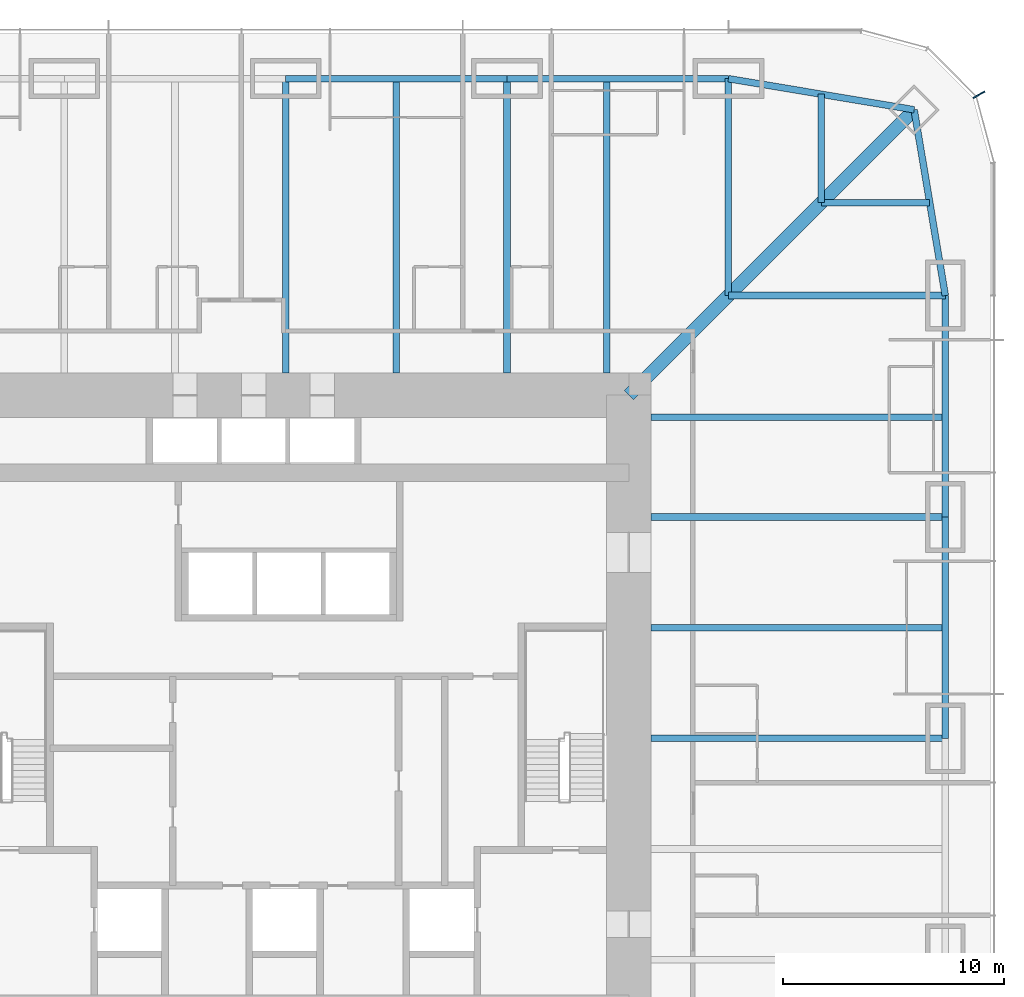
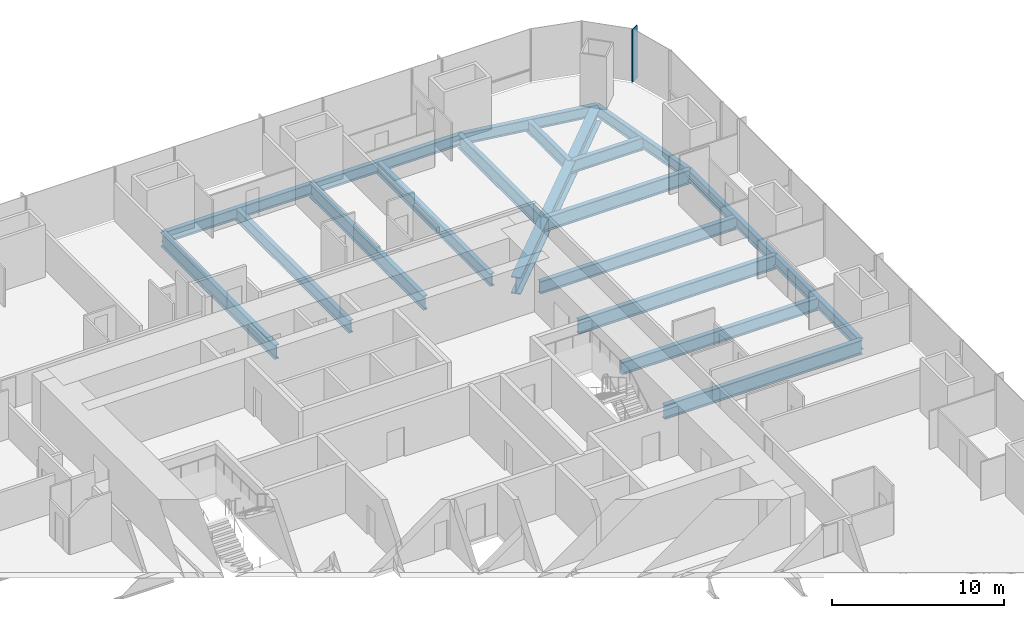
# One storey, part 7 of 20: 19 beams, 1 member, 1 element without a shape of its own.
"""IFC4 building model written with IfcOpenShell, lengths in metres."""

import ifcopenshell
import ifcopenshell.guid

model = None  # the IFC model being written
_history = None  # IfcOwnerHistory: only IFC2X3 demands one
_inside = {}  # id of a spatial element -> (the spatial element, [elements in it])
_under = {}  # id of a project, library or spatial element -> (it, [spatial elements below it])
_declared = {}  # id of a project -> (the project, [libraries it declares])
_typed = {}  # id of a type object -> (the type object, [elements of that type])
_made_of = {}  # id of a material, layer set ... -> (it, [elements and type objects made of it])


def new_model(schema):
    """Start an empty IFC model of exactly this schema.

    Asked for "IFC4X3", IfcOpenShell would pick the latest addendum, in which some entities
    have other attributes; the version numbers below select the first issue.
    IFC2X3 requires an IfcOwnerHistory on every rooted entity: one is made here for all.
    """
    global model, _history
    if schema == "IFC4X3":
        model = ifcopenshell.file(schema_version=(4, 3, 0, 0))
    else:
        model = ifcopenshell.file(schema=schema)
    _inside.clear()
    _under.clear()
    _declared.clear()
    _typed.clear()
    _made_of.clear()
    _history = None
    if model.schema == "IFC2X3":
        org = make("IfcOrganization", Name="unknown")
        user = make(
            "IfcPersonAndOrganization",
            ThePerson=make("IfcPerson", FamilyName="unknown"),
            TheOrganization=org,
        )
        app = make(
            "IfcApplication",
            ApplicationDeveloper=org,
            Version="unknown",
            ApplicationFullName="unknown",
            ApplicationIdentifier="unknown",
        )
        _history = make(
            "IfcOwnerHistory",
            OwningUser=user,
            OwningApplication=app,
            ChangeAction="ADDED",
            CreationDate=0,
        )
    return model


def make(cls, **values):
    """One entity of the class cls with the attributes given. An attribute that is None is left unset."""
    return model.create_entity(
        cls, **{name: value for name, value in values.items() if value is not None}
    )


def rooted(cls, **values):
    """An entity with a GlobalId (a new one), such as an element, a storey or a relation."""
    return make(cls, GlobalId=ifcopenshell.guid.new(), OwnerHistory=_history, **values)


def si_unit(unit_type, name, prefix=None):
    """IfcSIUnit, for example si_unit("LENGTHUNIT", "METRE", prefix="MILLI")."""
    return make("IfcSIUnit", UnitType=unit_type, Prefix=prefix, Name=name)


def assignment(units):
    """IfcUnitAssignment: the units of a project."""
    return None if units is None else make("IfcUnitAssignment", Units=units)


def point(xyz):
    """IfcCartesianPoint."""
    return None if xyz is None else make("IfcCartesianPoint", Coordinates=xyz)


def direction(xyz):
    """IfcDirection."""
    return None if xyz is None else make("IfcDirection", DirectionRatios=xyz)


def frame(location, z_axis=None, x_axis=None):
    """IfcAxis2Placement3D, a coordinate frame: its origin and axes. An axis left out is left unset."""
    return make(
        "IfcAxis2Placement3D",
        Location=point(location),
        Axis=direction(z_axis),
        RefDirection=direction(x_axis),
    )


def frame_2d(location, x_axis=None):
    """IfcAxis2Placement2D, a coordinate frame in the plane: its origin and x axis."""
    return make(
        "IfcAxis2Placement2D", Location=point(location), RefDirection=direction(x_axis)
    )


def origin():
    """The frame at (0, 0, 0) with its axes left unset."""
    return frame((0.0, 0.0, 0.0))


def origin_2d():
    """The frame at (0, 0) in the plane with its x axis left unset."""
    return frame_2d((0.0, 0.0))


def place(relative_to, where):
    """IfcLocalPlacement: puts the frame where relative to a parent placement (None: the world)."""
    return make(
        "IfcLocalPlacement", PlacementRelTo=relative_to, RelativePlacement=where
    )


def context(
    kind, dimensions, precision=None, world=None, true_north=None, identifier=None
):
    """IfcGeometricRepresentationContext, for example the 3D "Model" context."""
    return make(
        "IfcGeometricRepresentationContext",
        ContextIdentifier=identifier,
        ContextType=kind,
        CoordinateSpaceDimension=dimensions,
        Precision=precision,
        WorldCoordinateSystem=world,
        TrueNorth=true_north,
    )


def subcontext(parent, identifier, kind, view, scale=None):
    """IfcGeometricRepresentationSubContext, for example "Body" below "Model"."""
    return make(
        "IfcGeometricRepresentationSubContext",
        ContextIdentifier=identifier,
        ContextType=kind,
        ParentContext=parent,
        TargetScale=scale,
        TargetView=view,
    )


def project(units=None, contexts=None):
    """IfcProject with its units and contexts."""
    return rooted(
        "IfcProject",
        Name="project",
        RepresentationContexts=contexts,
        UnitsInContext=assignment(units),
    )


def spatial(cls, under=None, at=None, **own):
    """A site, building, storey or space (cls), placed at a placement, below another one or the project."""
    s = rooted(cls, ObjectPlacement=at, **own)
    if under is not None:
        _under.setdefault(under.id(), (under, []))[1].append(s)
    return s


def profile(cls, at=None, kind="AREA", **sizes):
    """A parametric profile (cls). Its sizes go by their IFC names, for example OverallWidth=200.0."""
    return make(cls, ProfileType=kind, Position=at, **sizes)


def rectangle(**sizes):
    """IfcRectangleProfileDef."""
    return profile("IfcRectangleProfileDef", **sizes)


def i_section(**sizes):
    """IfcIShapeProfileDef."""
    return profile("IfcIShapeProfileDef", **sizes)


def extrude(swept, where, along, depth):
    """IfcExtrudedAreaSolid: the profile swept, set in the frame where, extruded along a direction by depth."""
    return make(
        "IfcExtrudedAreaSolid",
        SweptArea=swept,
        Position=where,
        ExtrudedDirection=direction(along),
        Depth=depth,
    )


def shape(context_of_items, identifier, shape_type, items):
    """IfcShapeRepresentation: the items that make up one representation, for example the "Body"."""
    return make(
        "IfcShapeRepresentation",
        ContextOfItems=context_of_items,
        RepresentationIdentifier=identifier,
        RepresentationType=shape_type,
        Items=items,
    )


def material(Name=None, Category=None):
    """IfcMaterial."""
    return make("IfcMaterial", Name=Name, Category=Category)


def material_profile(
    of_material, cross_section, Name=None, Category=None, Priority=None
):
    """IfcMaterialProfile: a cross section and its material."""
    return make(
        "IfcMaterialProfile",
        Name=Name,
        Material=of_material,
        Profile=cross_section,
        Priority=Priority,
        Category=Category,
    )


def profile_set(profiles, Name=None, composite=None):
    """IfcMaterialProfileSet."""
    return make(
        "IfcMaterialProfileSet",
        Name=Name,
        MaterialProfiles=profiles,
        CompositeProfile=composite,
    )


def made_of(thing, what):
    """Note that an element or type object is made of a material, layer set ...; save() writes the relation."""
    if what is not None:
        _made_of.setdefault(what.id(), (what, []))[1].append(thing)
    return thing


def type_object(cls, material=None, **own):
    """A type object (cls), such as IfcWallType, which elements share."""
    return made_of(rooted(cls, **own), material)


def element(
    cls,
    number,
    at=None,
    inside=None,
    cuts=None,
    type_object=None,
    material=None,
    context=None,
    identifier="Body",
    shape_type=None,
    held_by="IfcProductDefinitionShape",
    body=None,
    shapes=None,
    **own,
):
    """One element of the class cls, such as IfcWall. Its Tag is "e" and its number.

    at: its placement. inside: the storey or other place that contains it. cuts: it is an
    opening in that element (IfcRelVoidsElement). A single representation is given by context,
    identifier, shape_type and body (its items); several are given by shapes. held_by: the class
    of the entity that holds the representations. save() writes the other relations.
    """
    e = rooted(cls, Tag="e%d" % number, ObjectPlacement=at, **own)
    if body is not None:
        shapes = [shape(context, identifier, shape_type, body)]
    if shapes is not None:
        e.Representation = make(held_by, Representations=shapes)
    if inside is not None:
        _inside.setdefault(inside.id(), (inside, []))[1].append(e)
    if cuts is not None:
        rooted(
            "IfcRelVoidsElement", RelatingBuildingElement=cuts, RelatedOpeningElement=e
        )
    if type_object is not None:
        _typed.setdefault(type_object.id(), (type_object, []))[1].append(e)
    return made_of(e, material)


def aggregate(whole, parts):
    """IfcRelAggregates: a whole, such as a stair, and the parts it consists of."""
    return rooted("IfcRelAggregates", RelatingObject=whole, RelatedObjects=parts)


def save(model, path):
    """Write the relations noted so far, then the file.

    IfcRelAggregates (storeys below a building ...), IfcRelContainedInSpatialStructure (elements
    in a storey), IfcRelDefinesByType, IfcRelAssociatesMaterial and IfcRelDeclares: one each for
    every whole, place, type object, material and project.
    """
    for whole, parts in _under.values():
        aggregate(whole, parts)
    for where, things in _inside.values():
        rooted(
            "IfcRelContainedInSpatialStructure",
            RelatedElements=things,
            RelatingStructure=where,
        )
    for kind, things in _typed.values():
        rooted("IfcRelDefinesByType", RelatedObjects=things, RelatingType=kind)
    for what, things in _made_of.values():
        rooted("IfcRelAssociatesMaterial", RelatedObjects=things, RelatingMaterial=what)
    for by, libraries in _declared.values():
        rooted("IfcRelDeclares", RelatingContext=by, RelatedDefinitions=libraries)
    model.write(path)


model = new_model("IFC4")

# Units and contexts
model_context = context("Model", 3, precision=1e-05, world=origin(), true_north=direction((0.0, 1.0)))
body_context = subcontext(model_context, "Body", "Model", "MODEL_VIEW")
ifc_project = project(units=[si_unit("LENGTHUNIT", "METRE"), si_unit("AREAUNIT", "SQUARE_METRE"), si_unit("VOLUMEUNIT", "CUBIC_METRE"), si_unit("PLANEANGLEUNIT", "RADIAN"), si_unit("MASSUNIT", "GRAM", prefix="KILO")], contexts=[model_context])

# Site, building, storey
site_placement = place(None, origin())
site = spatial("IfcSite", under=ifc_project, at=site_placement, CompositionType="ELEMENT")
building_placement = place(site_placement, origin())
building = spatial("IfcBuilding", under=site, at=building_placement, Name="Khuree Lantern Residences", CompositionType="ELEMENT")
storey_placement = place(building_placement, frame((0.0, 0.0, 28.5)))
storey = spatial("IfcBuildingStorey", under=building, at=storey_placement, Name="L06", CompositionType="ELEMENT", Elevation=28.5)

# Beams
ifc_material_1 = material(Name="Steel S355", Category="steel")
ifc_material_profile_1 = material_profile(ifc_material_1, i_section(OverallWidth=0.300048828125, OverallDepth=0.889892578125, WebThickness=0.01611328125, FlangeThickness=0.030029296875, FilletRadius=0.030029296875, at=origin_2d()), Name="HE 900 A")
ifc_profile_set_1 = profile_set([ifc_material_profile_1], Name="Steel S355")
beam_type_1 = type_object("IfcBeamType", Name="B-11 SECONDARY BEAM HE 900 A", PredefinedType="BEAM", material=ifc_profile_set_1)
for number, where, z_axis, x_axis, name in (
    (1, (5.0, 29.800048828125, -0.695068359375), (0.0, -1.0, 0.0), (1.0, 0.0, 0.0), "Secondary beam N3"),
    (2, (14.5, 29.800048828125, -0.695068359375), (0.0, -1.0, 0.0), (1.0, 0.0, 0.0), "Secondary beam N4"),
):
    element("IfcBeam", number, at=place(storey_placement, frame(where, z_axis=z_axis, x_axis=x_axis)), inside=storey, type_object=beam_type_1, Name=name, PredefinedType="BEAM", context=body_context, shape_type="SweptSolid", body=[
        extrude(i_section(OverallWidth=0.300048828125, OverallDepth=0.889892578125, WebThickness=0.01611328125, FlangeThickness=0.030029296875, FilletRadius=0.030029296875, at=origin_2d()), origin(), (0.0, 0.0, 1.0), 13.300048828125),
    ])
for number, where, z_axis, x_axis, name in (
    (3, (24.197021484375, 29.09716796875, -0.695068359375), (0.0, -1.0, 0.0), (1.0, 0.0, 0.0), "Secondary beam N5"),
    (4, (29.09716796875, 24.197021484375, -0.695068359375), (-1.0, 0.0, 0.0), (0.0, -1.0, 0.0), "Secondary beam E1"),
):
    element("IfcBeam", number, at=place(storey_placement, frame(where, z_axis=z_axis, x_axis=x_axis)), inside=storey, type_object=beam_type_1, Name=name, PredefinedType="BEAM", context=body_context, shape_type="SweptSolid", body=[
        extrude(i_section(OverallWidth=0.300048828125, OverallDepth=0.889892578125, WebThickness=0.01611328125, FlangeThickness=0.030029296875, FilletRadius=0.030029296875, at=origin_2d()), origin(), (0.0, 0.0, 1.0), 4.900146484375),
    ])
for number, where, z_axis, x_axis, name in (
    (5, (29.800048828125, 14.5, -0.695068359375), (-1.0, 0.0, 0.0), (0.0, -1.0, 0.0), "Secondary beam E2"),
    (6, (29.800048828125, 5.0, -0.695068359375), (-1.0, 0.0, 0.0), (0.0, -1.0, 0.0), "Secondary beam E3"),
):
    element("IfcBeam", number, at=place(storey_placement, frame(where, z_axis=z_axis, x_axis=x_axis)), inside=storey, type_object=beam_type_1, Name=name, PredefinedType="BEAM", context=body_context, shape_type="SweptSolid", body=[
        extrude(i_section(OverallWidth=0.300048828125, OverallDepth=0.889892578125, WebThickness=0.01611328125, FlangeThickness=0.030029296875, FilletRadius=0.030029296875, at=origin_2d()), origin(), (0.0, 0.0, 1.0), 13.300048828125),
    ])
ifc_material_profile_2 = material_profile(ifc_material_1, i_section(OverallWidth=0.300048828125, OverallDepth=0.7900390625, WebThickness=0.014892578125, FlangeThickness=0.028076171875, FilletRadius=0.030029296875, at=origin_2d()), Name="HE 800 A")
ifc_profile_set_2 = profile_set([ifc_material_profile_2], Name="Steel S355")
beam_type_2 = type_object("IfcBeamType", Name="E-11 SPANDREL BEAM HE 800 A", PredefinedType="SPANDREL", material=ifc_profile_set_2)
for number, where, z_axis, x_axis, name in (
    (7, (0.0, 29.800048828125, -0.64501953125), (1.0, 0.0, 0.0), (0.0, 1.0, 0.0), "Spandrel beam N3"),
    (8, (10.0, 29.800048828125, -0.64501953125), (1.0, 0.0, 0.0), (0.0, 1.0, 0.0), "Spandrel beam N4"),
):
    element("IfcBeam", number, at=place(storey_placement, frame(where, z_axis=z_axis, x_axis=x_axis)), inside=storey, type_object=beam_type_2, Name=name, PredefinedType="SPANDREL", context=body_context, shape_type="SweptSolid", body=[
        extrude(i_section(OverallWidth=0.300048828125, OverallDepth=0.7900390625, WebThickness=0.014892578125, FlangeThickness=0.028076171875, FilletRadius=0.030029296875, at=origin_2d()), origin(), (0.0, 0.0, 1.0), 10.0),
    ])
for number, where, z_axis, x_axis, name in (
    (9, (20.0, 29.800048828125, -0.64501953125), (0.986260251158, -0.165199022349, 0.0), (0.165199022349, 0.986260251158, 0.0), "Spandrel beam N5"),
    (10, (28.39404296875, 28.39404296875, -0.64501953125), (0.165199022349, -0.986260251158, 0.0), (0.986260251158, 0.165199022349, 0.0), "Spandrel beam E1"),
):
    element("IfcBeam", number, at=place(storey_placement, frame(where, z_axis=z_axis, x_axis=x_axis)), inside=storey, type_object=beam_type_2, Name=name, PredefinedType="SPANDREL", context=body_context, shape_type="SweptSolid", body=[
        extrude(i_section(OverallWidth=0.300048828125, OverallDepth=0.7900390625, WebThickness=0.014892578125, FlangeThickness=0.028076171875, FilletRadius=0.030029296875, at=origin_2d()), origin(), (0.0, 0.0, 1.0), 8.510986328125),
    ])
for number, where, z_axis, x_axis, name in (
    (11, (29.800048828125, 20.0, -0.64501953125), (0.0, -1.0, 0.0), (1.0, 0.0, 0.0), "Spandrel beam E2"),
    (12, (29.800048828125, 10.0, -0.64501953125), (0.0, -1.0, 0.0), (1.0, 0.0, 0.0), "Spandrel beam E3"),
):
    element("IfcBeam", number, at=place(storey_placement, frame(where, z_axis=z_axis, x_axis=x_axis)), inside=storey, type_object=beam_type_2, Name=name, PredefinedType="SPANDREL", context=body_context, shape_type="SweptSolid", body=[
        extrude(i_section(OverallWidth=0.300048828125, OverallDepth=0.7900390625, WebThickness=0.014892578125, FlangeThickness=0.028076171875, FilletRadius=0.030029296875, at=origin_2d()), origin(), (0.0, 0.0, 1.0), 10.0),
    ])

# Curtain wall, member
ifc_material_2 = material(Name="Bronze anodised aluminium", Category="aluminium")
curtain_wall_type = type_object("IfcCurtainWallType", Name="CW-T2 TOWER CORNER CURTAIN WALL", PredefinedType="USERDEFINED", material=ifc_material_2)
curtain_wall_placement = place(storey_placement, origin())
curtain_wall = element("IfcCurtainWall", 13, at=curtain_wall_placement, inside=storey, type_object=curtain_wall_type, Name="L06 NORTH-EAST CORNER CURTAIN WALL", ObjectType="Faceted corner curtain wall", PredefinedType="USERDEFINED")
ifc_material_profile_3 = material_profile(ifc_material_2, rectangle(XDim=0.06494140625, YDim=0.60009765625, at=origin_2d()), Name="F1 65X600")
ifc_profile_set_3 = profile_set([ifc_material_profile_3], Name="Bronze anodised aluminium")
member_type = type_object("IfcMemberType", Name="F1 BRONZE FIN MULLION TOWER 65X600", PredefinedType="MULLION", material=ifc_profile_set_3)
member_placement = place(storey_placement, frame((31.326171875, 29.074951171875, 0.0), z_axis=(0.0, 0.0, 1.0), x_axis=(-0.500000056923, 0.86602537092, 0.0)))
member = element("IfcMember", 14, at=member_placement, type_object=member_type, Name="L06 NORTH-EAST CORNER FIN MULLION 16", PredefinedType="MULLION", context=body_context, shape_type="SweptSolid", body=[
    extrude(rectangle(XDim=0.06494140625, YDim=0.60009765625, at=origin_2d()), origin(), (0.0, 0.0, 1.0), 3.75),
])
aggregate(curtain_wall, [member])

# Beams
ifc_material_profile_4 = material_profile(ifc_material_1, i_section(OverallWidth=0.302001953125, OverallDepth=1.008056640625, WebThickness=0.02099609375, FlangeThickness=0.0400390625, FilletRadius=0.030029296875, at=origin_2d()), Name="HE 1000 M")
ifc_profile_set_4 = profile_set([ifc_material_profile_4], Name="Steel S355")
beam_type_3 = type_object("IfcBeamType", Name="G-11 GIRDER HE 1000 M", PredefinedType="BEAM", material=ifc_profile_set_4)
for number, where, z_axis, x_axis, name in (
    (15, (0.0, 29.800048828125, -0.75390625), (0.0, -1.0, 0.0), (1.0, 0.0, 0.0), "Girder N3"),
    (16, (10.0, 29.800048828125, -0.75390625), (0.0, -1.0, 0.0), (1.0, 0.0, 0.0), "Girder N4"),
):
    element("IfcBeam", number, at=place(storey_placement, frame(where, z_axis=z_axis, x_axis=x_axis)), inside=storey, type_object=beam_type_3, Name=name, PredefinedType="BEAM", context=body_context, shape_type="SweptSolid", body=[
        extrude(i_section(OverallWidth=0.302001953125, OverallDepth=1.008056640625, WebThickness=0.02099609375, FlangeThickness=0.0400390625, FilletRadius=0.030029296875, at=origin_2d()), origin(), (0.0, 0.0, 1.0), 13.300048828125),
    ])
for number, where, z_axis, x_axis, name in (
    (17, (20.0, 29.800048828125, -0.75390625), (0.0, -1.0, 0.0), (1.0, 0.0, 0.0), "Girder N5"),
    (18, (29.800048828125, 20.0, -0.75390625), (-1.0, 0.0, 0.0), (0.0, -1.0, 0.0), "Girder E1"),
):
    element("IfcBeam", number, at=place(storey_placement, frame(where, z_axis=z_axis, x_axis=x_axis)), inside=storey, type_object=beam_type_3, Name=name, PredefinedType="BEAM", context=body_context, shape_type="SweptSolid", body=[
        extrude(i_section(OverallWidth=0.302001953125, OverallDepth=1.008056640625, WebThickness=0.02099609375, FlangeThickness=0.0400390625, FilletRadius=0.030029296875, at=origin_2d()), origin(), (0.0, 0.0, 1.0), 9.800048828125),
    ])
for number, where, z_axis, x_axis, name in (
    (19, (29.800048828125, 10.0, -0.75390625), (-1.0, 0.0, 0.0), (0.0, -1.0, 0.0), "Girder E2"),
    (20, (29.800048828125, 0.0, -0.75390625), (-1.0, 0.0, 0.0), (0.0, -1.0, 0.0), "Girder E3"),
):
    element("IfcBeam", number, at=place(storey_placement, frame(where, z_axis=z_axis, x_axis=x_axis)), inside=storey, type_object=beam_type_3, Name=name, PredefinedType="BEAM", context=body_context, shape_type="SweptSolid", body=[
        extrude(i_section(OverallWidth=0.302001953125, OverallDepth=1.008056640625, WebThickness=0.02099609375, FlangeThickness=0.0400390625, FilletRadius=0.030029296875, at=origin_2d()), origin(), (0.0, 0.0, 1.0), 13.300048828125),
    ])
ifc_material_profile_5 = material_profile(ifc_material_1, i_section(OverallWidth=0.60009765625, OverallDepth=1.199951171875, WebThickness=0.030029296875, FlangeThickness=0.06005859375, at=origin_2d()), Name="WELDED I 1200X600X30X60")
ifc_profile_set_5 = profile_set([ifc_material_profile_5], Name="Steel S355")
beam_type_4 = type_object("IfcBeamType", Name="GD-11 CORNER GIRDER WELDED I 1200X600X30X60", PredefinedType="BEAM", material=ifc_profile_set_5)
beam_placement = place(storey_placement, frame((28.39404296875, 28.39404296875, -0.85009765625), z_axis=(-0.707106781187, -0.707106781187, 0.0), x_axis=(0.707106781187, -0.707106781187, 0.0)))
element("IfcBeam", 21, at=beam_placement, inside=storey, type_object=beam_type_4, Name="Corner girder NE", PredefinedType="BEAM", context=body_context, shape_type="SweptSolid", body=[
    extrude(i_section(OverallWidth=0.60009765625, OverallDepth=1.199951171875, WebThickness=0.030029296875, FlangeThickness=0.06005859375, at=origin_2d()), origin(), (0.0, 0.0, 1.0), 18.23486328125),
])

save(model, "model.ifc")
